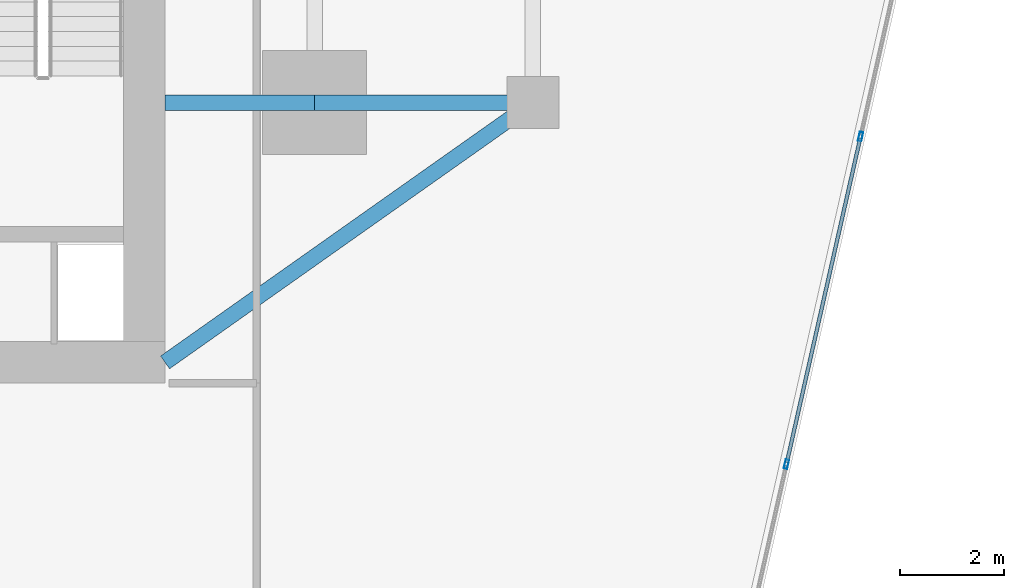
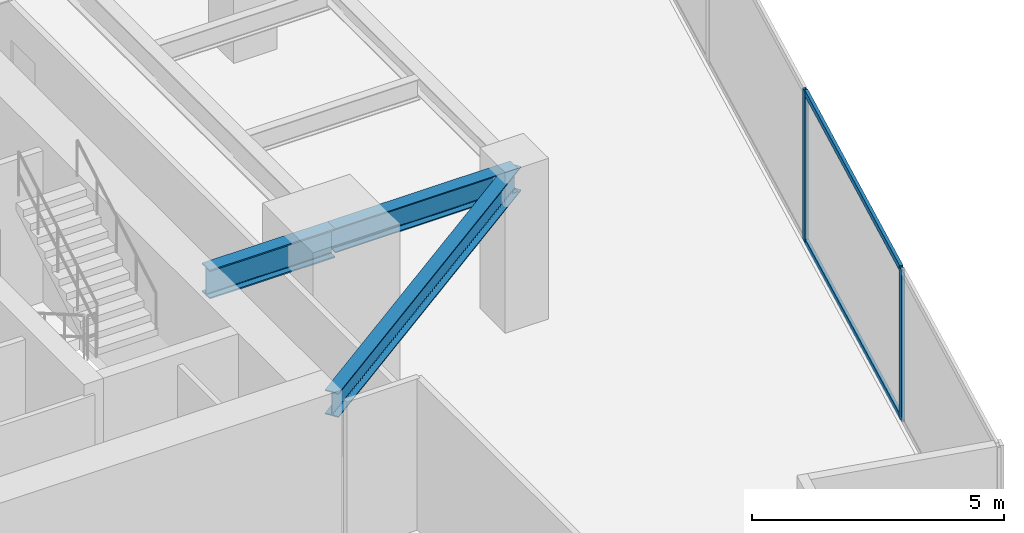
# One storey, part 11 of 27: 4 members, 3 beams, 1 element without a shape of its own.
"""IFC4 building model written with IfcOpenShell, lengths in metres."""

from ifc_helpers import new_model, si_unit, direction, frame, origin, origin_2d, place, context, subcontext, project, spatial, hollow_rectangle, i_section, extrude, source, transform, mapped, material, material_profile, profile_set, type_object, type_shapes, element, aggregate, save


model = new_model("IFC4")

# Units and contexts
model_context = context("Model", 3, precision=1e-05, world=origin(), true_north=direction((0.0, 1.0)))
body_context = subcontext(model_context, "Body", "Model", "MODEL_VIEW")
ifc_project = project(units=[si_unit("LENGTHUNIT", "METRE"), si_unit("AREAUNIT", "SQUARE_METRE"), si_unit("VOLUMEUNIT", "CUBIC_METRE"), si_unit("PLANEANGLEUNIT", "RADIAN"), si_unit("MASSUNIT", "GRAM", prefix="KILO")], contexts=[model_context])

# Site, building, storey
site_placement = place(None, origin())
site = spatial("IfcSite", under=ifc_project, at=site_placement, CompositionType="ELEMENT")
building_placement = place(site_placement, origin())
building = spatial("IfcBuilding", under=site, at=building_placement, Name="Krantzveldt Concourse Tower", CompositionType="ELEMENT")
storey_placement = place(building_placement, frame((0.0, 0.0, 86.10009765625)))
storey = spatial("IfcBuildingStorey", under=building, at=storey_placement, Name="L20", CompositionType="ELEMENT", Elevation=86.10009765625)

# Beams
ifc_material_1 = material(Name="Steel S355J2", Category="steel")
ifc_material_profile_1 = material_profile(ifc_material_1, i_section(OverallWidth=0.300048828125, OverallDepth=0.699951171875, WebThickness=0.01708984375, FlangeThickness=0.031982421875, FilletRadius=0.027099609375, at=origin_2d()), Name="Steel S355J2", Category="steel")
ifc_profile_set_1 = profile_set([ifc_material_profile_1], Name="Steel S355J2 - HEB 700")
beam_type_1 = type_object("IfcBeamType", Name="BM-B-HEB700", PredefinedType="BEAM", material=ifc_profile_set_1)
shared_shape_1 = source(origin(), body_context, "Body", "SweptSolid", [
    extrude(i_section(OverallWidth=0.300048828125, OverallDepth=0.699951171875, WebThickness=0.01708984375, FlangeThickness=0.031982421875, FilletRadius=0.027099609375, at=origin_2d()), origin(), (0.0, 0.0, 1.0), 2.880126953125),
])
type_shapes(beam_type_1, [shared_shape_1])
beam_1_placement = place(storey_placement, frame((43.919921875, 15.89990234375, 3.31982421875), z_axis=(1.0, 0.0, 0.0), x_axis=(0.0, 1.0, 0.0)))
element("IfcBeam", 1, at=beam_1_placement, inside=storey, type_object=beam_type_1, Name="L20 Tower Girder BG-CE1", PredefinedType="BEAM", context=body_context, shape_type="MappedRepresentation", body=[
    mapped(shared_shape_1, transform((0.0, 0.0, 0.0), x_axis=(1.0, 0.0, 0.0), y_axis=(0.0, 1.0, 0.0), z_axis=(0.0, 0.0, 1.0), scale=1.0)),
])
ifc_material_2 = material(Name="Steel S355JR", Category="steel")
ifc_material_profile_2 = material_profile(ifc_material_2, i_section(OverallWidth=0.300048828125, OverallDepth=0.590087890625, WebThickness=0.012939453125, FlangeThickness=0.02490234375, FilletRadius=0.027099609375, at=origin_2d()), Name="Steel S355JR", Category="steel")
ifc_profile_set_2 = profile_set([ifc_material_profile_2], Name="Steel S355JR - HEA 600")
beam_type_2 = type_object("IfcBeamType", Name="BM-B-HEA600", PredefinedType="BEAM", material=ifc_profile_set_2)
shared_shape_2 = source(origin(), body_context, "Body", "SweptSolid", [
    extrude(i_section(OverallWidth=0.300048828125, OverallDepth=0.590087890625, WebThickness=0.012939453125, FlangeThickness=0.02490234375, FilletRadius=0.027099609375, at=origin_2d()), origin(), (0.0, 0.0, 1.0), 4.199951171875),
])
beam_2_placement = place(storey_placement, frame((46.800048828125, 15.89990234375, 3.375), z_axis=(1.0, 0.0, 0.0), x_axis=(0.0, 1.0, 0.0)))
element("IfcBeam", 2, at=beam_2_placement, inside=storey, type_object=beam_type_2, Name="L20 Tower Girder BR-RR1", PredefinedType="BEAM", context=body_context, shape_type="MappedRepresentation", body=[
    mapped(shared_shape_2, transform((0.0, 0.0, 0.0), x_axis=(1.0, 0.0, 0.0), y_axis=(0.0, 1.0, 0.0), z_axis=(0.0, 0.0, 1.0), scale=1.0)),
])
shared_shape_3 = source(origin(), body_context, "Body", "SweptSolid", [
    extrude(i_section(OverallWidth=0.300048828125, OverallDepth=0.590087890625, WebThickness=0.012939453125, FlangeThickness=0.02490234375, FilletRadius=0.027099609375, at=origin_2d()), origin(), (0.0, 0.0, 1.0), 8.667724609375),
])
type_shapes(beam_type_2, [shared_shape_2, shared_shape_3])
beam_3_placement = place(storey_placement, frame((51.0, 15.89990234375, 3.375), z_axis=(-0.81684294656, -0.576860122261, 0.0), x_axis=(0.576860122261, -0.81684294656, 0.0)))
element("IfcBeam", 3, at=beam_3_placement, inside=storey, type_object=beam_type_2, Name="L20 Tower Girder BR-CSE", PredefinedType="BEAM", context=body_context, shape_type="MappedRepresentation", body=[
    mapped(shared_shape_3, transform((0.0, 0.0, 0.0), x_axis=(1.0, 0.0, 0.0), y_axis=(0.0, 1.0, 0.0), z_axis=(0.0, 0.0, 1.0), scale=1.0)),
])

# Curtain wall, members
ifc_material_3 = material(Name="Anodised aluminium 6063-T6", Category="aluminium")
curtain_wall_type = type_object("IfcCurtainWallType", Name="CW2", PredefinedType="USERDEFINED", material=ifc_material_3)
curtain_wall_placement = place(storey_placement, origin())
curtain_wall = element("IfcCurtainWall", 4, at=curtain_wall_placement, inside=storey, type_object=curtain_wall_type, Name="CW-L20-F07", ObjectType="UNITISED CURTAIN WALL", PredefinedType="USERDEFINED")
ifc_material_profile_3 = material_profile(ifc_material_3, hollow_rectangle(XDim=0.070068359375, YDim=0.179931640625, WallThickness=0.0048828125, at=origin_2d()), Name="Anodised aluminium 6063-T6", Category="aluminium")
ifc_profile_set_3 = profile_set([ifc_material_profile_3], Name="Anodised aluminium 6063-T6 - ALU-MULL 180x70x5")
member_type_1 = type_object("IfcMemberType", Name="CW-MUL-180", PredefinedType="MULLION", material=ifc_profile_set_3)
shared_shape_4 = source(origin(), body_context, "Body", "SweptSolid", [
    extrude(hollow_rectangle(XDim=0.070068359375, YDim=0.179931640625, WallThickness=0.0048828125, at=origin_2d()), origin(), (0.0, 0.0, 1.0), 3.669921875),
])
type_shapes(member_type_1, [shared_shape_4])
member_1_placement = place(storey_placement, frame((55.880859375, 8.941162109375, 0.0), z_axis=(0.0, 0.0, 1.0), x_axis=(-0.975342320609, 0.220697434579, 0.0)))
member_1 = element("IfcMember", 5, at=member_1_placement, type_object=member_type_1, Name="CW-Z12 mullion 2", PredefinedType="MULLION", context=body_context, shape_type="MappedRepresentation", body=[
    mapped(shared_shape_4, transform((0.0, 0.0, 0.0), x_axis=(1.0, 0.0, 0.0), y_axis=(0.0, 1.0, 0.0), z_axis=(0.0, 0.0, 1.0), scale=1.0)),
])
member_2_placement = place(storey_placement, frame((57.30810546875, 15.248291015625, 0.0), z_axis=(0.0, 0.0, 1.0), x_axis=(-0.975342320609, 0.220697434579, 0.0)))
member_2 = element("IfcMember", 6, at=member_2_placement, type_object=member_type_1, Name="CW-Z12 mullion 3", PredefinedType="MULLION", context=body_context, shape_type="MappedRepresentation", body=[
    mapped(shared_shape_4, transform((0.0, 0.0, 0.0), x_axis=(1.0, 0.0, 0.0), y_axis=(0.0, 1.0, 0.0), z_axis=(0.0, 0.0, 1.0), scale=1.0)),
])
ifc_material_profile_4 = material_profile(ifc_material_3, hollow_rectangle(XDim=0.070068359375, YDim=0.139892578125, WallThickness=0.0048828125, at=origin_2d()), Name="Anodised aluminium 6063-T6", Category="aluminium")
ifc_profile_set_4 = profile_set([ifc_material_profile_4], Name="Anodised aluminium 6063-T6 - ALU-TRAN 140x70x5")
member_type_2 = type_object("IfcMemberType", Name="CW-TRN-150", PredefinedType="USERDEFINED", material=ifc_profile_set_4)
shared_shape_5 = source(origin(), body_context, "Body", "SweptSolid", [
    extrude(hollow_rectangle(XDim=0.070068359375, YDim=0.139892578125, WallThickness=0.0048828125, at=origin_2d()), origin(), (0.0, 0.0, 1.0), 6.396484375),
])
type_shapes(member_type_2, [shared_shape_5])
member_3_placement = place(storey_placement, frame((55.888671875, 8.975341796875, 0.034912109375), z_axis=(0.220687273667, 0.975344619733, 0.0), x_axis=(-0.975344619733, 0.220687273667, 0.0)))
member_3 = element("IfcMember", 7, at=member_3_placement, type_object=member_type_2, Name="CW-Z12 transom 2.1", ObjectType="TRANSOM", PredefinedType="USERDEFINED", context=body_context, shape_type="MappedRepresentation", body=[
    mapped(shared_shape_5, transform((0.0, 0.0, 0.0), x_axis=(1.0, 0.0, 0.0), y_axis=(0.0, 1.0, 0.0), z_axis=(0.0, 0.0, 1.0), scale=1.0)),
])
member_4_placement = place(storey_placement, frame((55.888671875, 8.975341796875, 3.635009765625), z_axis=(0.220687273667, 0.975344619733, 0.0), x_axis=(-0.975344619733, 0.220687273667, 0.0)))
member_4 = element("IfcMember", 8, at=member_4_placement, type_object=member_type_2, Name="CW-Z12 transom 2.2", ObjectType="TRANSOM", PredefinedType="USERDEFINED", context=body_context, shape_type="MappedRepresentation", body=[
    mapped(shared_shape_5, transform((0.0, 0.0, 0.0), x_axis=(1.0, 0.0, 0.0), y_axis=(0.0, 1.0, 0.0), z_axis=(0.0, 0.0, 1.0), scale=1.0)),
])
aggregate(curtain_wall, [member_1, member_2, member_3, member_4])

save(model, "model.ifc")
